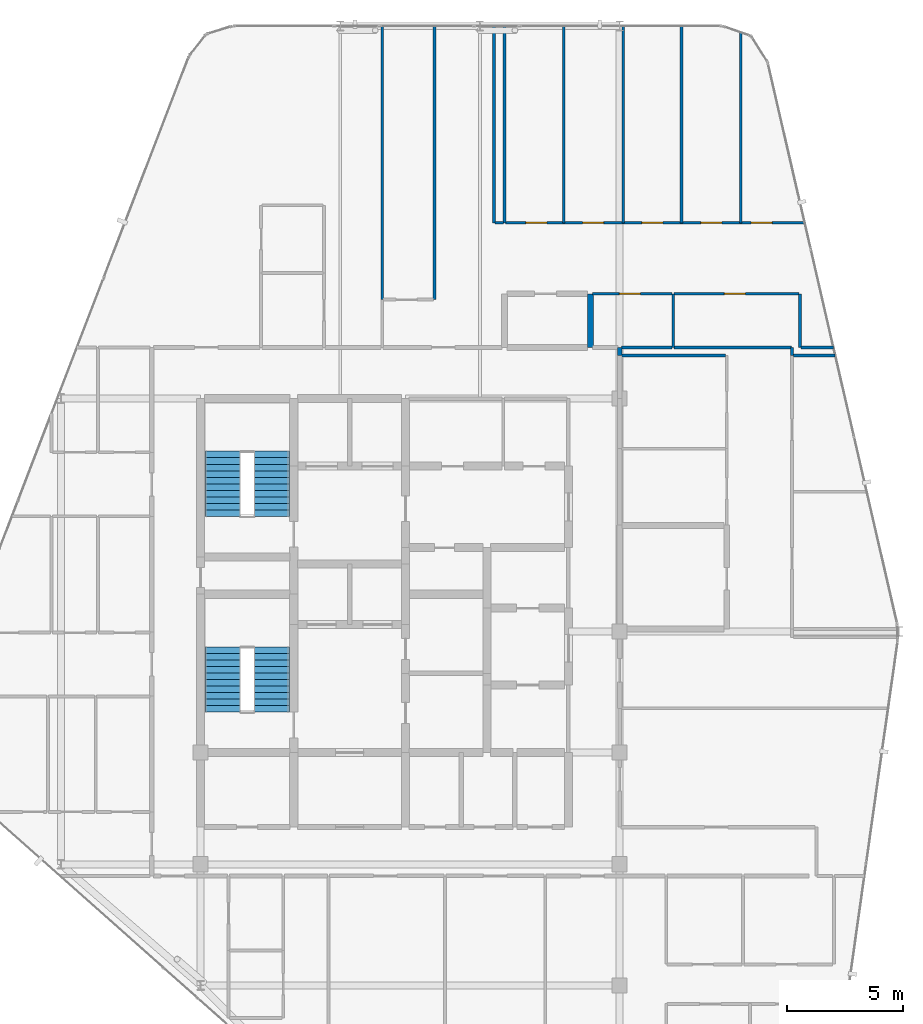
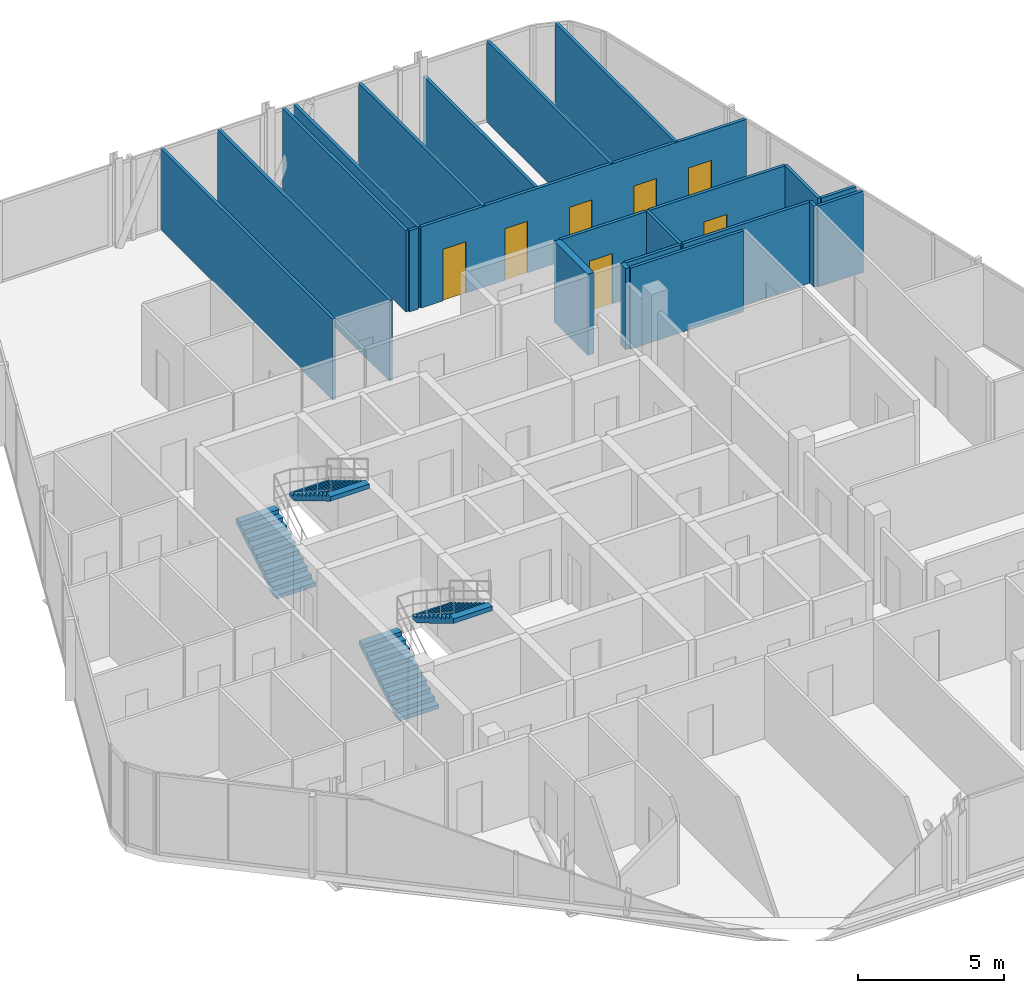
# One storey, part 26 of 27: 22 walls, 7 doors, 4 stair flights, 7 openings, 2 elements without a shape of their own.
"""IFC4 building model written with IfcOpenShell, lengths in metres."""

from ifc_helpers import new_model, si_unit, direction, frame, frame_2d, origin, place, context, subcontext, project, spatial, polyline, rectangle, outline, extrude, material, layer, layer_set, type_object, element, fill, aggregate, save


model = new_model("IFC4")

# Units and contexts
model_context = context("Model", 3, precision=1e-05, world=origin(), true_north=direction((0.0, 1.0)))
body_context = subcontext(model_context, "Body", "Model", "MODEL_VIEW")
ifc_project = project(units=[si_unit("LENGTHUNIT", "METRE"), si_unit("AREAUNIT", "SQUARE_METRE"), si_unit("VOLUMEUNIT", "CUBIC_METRE"), si_unit("PLANEANGLEUNIT", "RADIAN"), si_unit("MASSUNIT", "GRAM", prefix="KILO")], contexts=[model_context])

# Site, building, storey
site_placement = place(None, origin())
site = spatial("IfcSite", under=ifc_project, at=site_placement, CompositionType="ELEMENT")
building_placement = place(site_placement, origin())
building = spatial("IfcBuilding", under=site, at=building_placement, Name="Keshet Zoharim Tower", CompositionType="ELEMENT")
storey_placement = place(building_placement, frame((0.0, 0.0, 295.39990234375)))
storey = spatial("IfcBuildingStorey", under=building, at=storey_placement, Name="L74", CompositionType="ELEMENT", Elevation=295.39990234375)

# Walls
ifc_material_1 = material(Name="Gypsum Plasterboard", Category="gypsum")
ifc_layer_1 = layer(ifc_material_1, 0.179931640625)
ifc_layer_set_1 = layer_set([ifc_layer_1], Name="Gypsum Plasterboard")
wall_type_1 = type_object("IfcWallType", Name="WL-CORR-180", PredefinedType="STANDARD", material=ifc_layer_set_1)
wall_1_placement = place(storey_placement, frame((33.0, 39.75, 0.0), z_axis=(0.0, 0.0, 1.0), x_axis=(0.0, 1.0, 0.0)))
element("IfcWall", 1, at=wall_1_placement, inside=storey, type_object=wall_type_1, Name="L74 Interior Wall 068", PredefinedType="STANDARD", context=body_context, shape_type="SweptSolid", body=[
    extrude(rectangle(XDim=0.35009765625, YDim=0.179931640625, at=frame_2d((0.175048828125, 0.0))), origin(), (0.0, 0.0, 1.0), 3.380126953125),
])
ifc_material_2 = material(Name="Concrete C50/60", Category="concrete")
ifc_layer_2 = layer(ifc_material_2, 0.25)
ifc_layer_set_2 = layer_set([ifc_layer_2], Name="Concrete C50/60")
wall_type_2 = type_object("IfcWallType", Name="WL-MAMAD-250", PredefinedType="STANDARD", material=ifc_layer_set_2)
wall_2_placement = place(storey_placement, frame((31.75, 40.10009765625, 0.0), z_axis=(0.0, 0.0, 1.0), x_axis=(0.0, 1.0, 0.0)))
element("IfcWall", 2, at=wall_2_placement, inside=storey, type_object=wall_type_2, Name="L74 Interior Wall 062", PredefinedType="STANDARD", context=body_context, shape_type="SweptSolid", body=[
    extrude(rectangle(XDim=2.2998046875, YDim=0.25, at=frame_2d((1.14990234375, 0.0))), origin(), (0.0, 0.0, 1.0), 3.380126953125),
])
ifc_layer_3 = layer(ifc_material_1, 0.1201171875)
ifc_layer_set_3 = layer_set([ifc_layer_3], Name="Gypsum Plasterboard")
wall_type_3 = type_object("IfcWallType", Name="WL-PART-120", PredefinedType="PARTITIONING", material=ifc_layer_set_3)
for number, where, z_axis, x_axis, name in (
    (3, (22.800048828125, 42.14990234375, 0.0), (0.0, 0.0, 1.0), (0.0, 1.0, 0.0), "L74 Interior Wall 034"),
    (4, (25.050048828125, 42.14990234375, 0.0), (0.0, 0.0, 1.0), (0.0, 1.0, 0.0), "L74 Interior Wall 042"),
):
    element("IfcWall", number, at=place(storey_placement, frame(where, z_axis=z_axis, x_axis=x_axis)), inside=storey, type_object=wall_type_3, Name=name, PredefinedType="PARTITIONING", context=body_context, shape_type="SweptSolid", body=[
        extrude(rectangle(XDim=11.739990234375, YDim=0.1201171875, at=frame_2d((5.8701171875, 0.0))), origin(), (0.0, 0.0, 1.0), 3.380126953125),
    ])
for number, where, z_axis, x_axis, name in (
    (5, (27.60009765625, 45.449951171875, 0.0), (0.0, 0.0, 1.0), (0.0, 1.0, 0.0), "L74 Interior Wall 049"),
    (6, (28.050048828125, 45.449951171875, 0.0), (0.0, 0.0, 1.0), (0.0, 1.0, 0.0), "L74 Interior Wall 052"),
    (7, (30.60009765625, 45.449951171875, 0.0), (0.0, 0.0, 1.0), (0.0, 1.0, 0.0), "L74 Interior Wall 055"),
):
    element("IfcWall", number, at=place(storey_placement, frame(where, z_axis=z_axis, x_axis=x_axis)), inside=storey, type_object=wall_type_3, Name=name, PredefinedType="PARTITIONING", context=body_context, shape_type="SweptSolid", body=[
        extrude(rectangle(XDim=8.43994140625, YDim=0.1201171875, at=frame_2d((4.219970703125, 0.0))), origin(), (0.0, 0.0, 1.0), 3.380126953125),
    ])
wall_3_placement = place(storey_placement, frame((33.14990234375, 45.449951171875, 0.0), z_axis=(0.0, 0.0, 1.0), x_axis=(0.0, 1.0, 0.0)))
element("IfcWall", 8, at=wall_3_placement, inside=storey, type_object=wall_type_3, Name="L74 Interior Wall 069", PredefinedType="PARTITIONING", context=body_context, shape_type="SweptSolid", body=[
    extrude(rectangle(XDim=8.43994140625, YDim=0.1201171875, at=frame_2d((4.219970703125, 0.0))), origin(), (0.0, 0.0, 1.0), 2.780029296875),
])
wall_4_placement = place(storey_placement, frame((35.64990234375, 45.449951171875, 0.0), z_axis=(0.0, 0.0, 1.0), x_axis=(0.0, 1.0, 0.0)))
element("IfcWall", 9, at=wall_4_placement, inside=storey, type_object=wall_type_3, Name="L74 Interior Wall 073", PredefinedType="PARTITIONING", context=body_context, shape_type="SweptSolid", body=[
    extrude(rectangle(XDim=8.43994140625, YDim=0.1201171875, at=frame_2d((4.219970703125, 0.0))), origin(), (0.0, 0.0, 1.0), 3.380126953125),
])
wall_5_placement = place(storey_placement, frame((38.199951171875, 45.449951171875, 0.0), z_axis=(0.0, 0.0, 1.0), x_axis=(0.0, 1.0, 0.0)))
element("IfcWall", 10, at=wall_5_placement, inside=storey, type_object=wall_type_3, Name="L74 Interior Wall 077", PredefinedType="PARTITIONING", context=body_context, shape_type="SweptSolid", body=[
    extrude(rectangle(XDim=8.1640625, YDim=0.1201171875, at=frame_2d((4.08203125, 0.0))), origin(), (0.0, 0.0, 1.0), 3.380126953125),
])
wall_6_placement = place(storey_placement, frame((40.39990234375, 39.75, 0.0), z_axis=(0.0, 0.0, 1.0), x_axis=(0.0, 1.0, 0.0)))
element("IfcWall", 11, at=wall_6_placement, inside=storey, type_object=wall_type_3, Name="L74 Interior Wall 082", PredefinedType="PARTITIONING", context=body_context, shape_type="SweptSolid", body=[
    extrude(rectangle(XDim=0.35009765625, YDim=0.1201171875, at=frame_2d((0.175048828125, 0.0))), origin(), (0.0, 0.0, 1.0), 3.380126953125),
])
wall_7_placement = place(storey_placement, frame((40.75, 40.10009765625, 0.0), z_axis=(0.0, 0.0, 1.0), x_axis=(0.0, 1.0, 0.0)))
element("IfcWall", 12, at=wall_7_placement, inside=storey, type_object=wall_type_3, Name="L74 Interior Wall 083", PredefinedType="PARTITIONING", context=body_context, shape_type="SweptSolid", body=[
    extrude(rectangle(XDim=2.2998046875, YDim=0.1201171875, at=frame_2d((1.14990234375, 0.0))), origin(), (0.0, 0.0, 1.0), 3.380126953125),
])
wall_8_placement = place(storey_placement, frame((33.074951171875, 39.75, 0.0), z_axis=(0.0, 0.0, 1.0), x_axis=(1.0, 0.0, 0.0)))
element("IfcWall", 13, at=wall_8_placement, inside=storey, type_object=wall_type_3, Name="L74 Interior Wall 151", PredefinedType="PARTITIONING", context=body_context, shape_type="SweptSolid", body=[
    extrude(rectangle(XDim=4.4599609375, YDim=0.1201171875, at=frame_2d((2.22998046875, 0.0))), origin(), (0.0, 0.0, 1.0), 3.380126953125),
])
wall_9_placement = place(storey_placement, frame((40.465087890625, 39.75, 0.0), z_axis=(0.0, 0.0, 1.0), x_axis=(1.0, 0.0, 0.0)))
element("IfcWall", 14, at=wall_9_placement, inside=storey, type_object=wall_type_3, Name="L74 Interior Wall 152", PredefinedType="PARTITIONING", context=body_context, shape_type="SweptSolid", body=[
    extrude(rectangle(XDim=1.789794921875, YDim=0.1201171875, at=frame_2d((0.89501953125, 0.0))), origin(), (0.0, 0.0, 1.0), 3.380126953125),
])
wall_10_placement = place(storey_placement, frame((35.333984375, 40.10009765625, 0.0), z_axis=(0.0, 0.0, 1.0), x_axis=(1.0, 0.0, 0.0)))
element("IfcWall", 15, at=wall_10_placement, inside=storey, type_object=wall_type_3, Name="L74 Interior Wall 162", PredefinedType="PARTITIONING", context=body_context, shape_type="SweptSolid", body=[
    extrude(rectangle(XDim=5.041015625, YDim=0.1201171875, at=frame_2d((2.5205078125, 0.0))), origin(), (0.0, 0.0, 1.0), 3.380126953125),
])
wall_11_placement = place(storey_placement, frame((40.7958984375, 40.10009765625, 0.0), z_axis=(0.0, 0.0, 1.0), x_axis=(1.0, 0.0, 0.0)))
element("IfcWall", 16, at=wall_11_placement, inside=storey, type_object=wall_type_3, Name="L74 Interior Wall 163", PredefinedType="PARTITIONING", context=body_context, shape_type="SweptSolid", body=[
    extrude(rectangle(XDim=1.379150390625, YDim=0.1201171875, at=frame_2d((0.689453125, 0.0))), origin(), (0.0, 0.0, 1.0), 3.380126953125),
])

# Wall, opening, door
wall_12_placement = place(storey_placement, frame((35.333984375, 42.39990234375, 0.0), z_axis=(0.0, 0.0, 1.0), x_axis=(1.0, 0.0, 0.0)))
wall_12 = element("IfcWall", 17, at=wall_12_placement, inside=storey, type_object=wall_type_3, Name="L74 Interior Wall 167", PredefinedType="PARTITIONING", context=body_context, shape_type="SweptSolid", body=[
    extrude(rectangle(XDim=5.3720703125, YDim=0.1201171875, at=frame_2d((2.68603515625, 0.0))), origin(), (0.0, 0.0, 1.0), 3.380126953125),
])
opening_1_placement = place(wall_12_placement, frame((2.166015625, 0.0, 0.0)))
opening_1 = element("IfcOpeningElement", 18, at=opening_1_placement, cuts=wall_12, Name="Opening D-IN90", PredefinedType="OPENING", context=body_context, shape_type="SweptSolid", body=[
    extrude(rectangle(XDim=0.89990234375, YDim=2.14990234375, at=frame_2d((0.449951171875, 1.074951171875))), frame((0.0, 0.070068359375, 0.0), z_axis=(0.0, -1.0, 0.0), x_axis=(1.0, 0.0, 0.0)), (0.0, 0.0, 1.0), 0.14013671875),
])
ifc_material_3 = material(Name="Hardwood Timber", Category="wood")
door_type_1 = type_object("IfcDoorType", Name="DR-INT-090", OperationType="NOTDEFINED", PredefinedType="DOOR", material=ifc_material_3)
door_1_placement = place(opening_1_placement, origin())
door_1 = element("IfcDoor", 19, at=door_1_placement, inside=storey, type_object=door_type_1, Name="Apartment 7404 Kitchen Door", OperationType="SINGLE_SWING_RIGHT", OverallHeight=2.14990234375, OverallWidth=0.89990234375, PredefinedType="DOOR", context=body_context, shape_type="SweptSolid", body=[
    extrude(rectangle(XDim=0.89990234375, YDim=2.14990234375, at=frame_2d((0.449951171875, 1.074951171875))), frame((0.0, 0.02490234375, 0.0), z_axis=(0.0, -1.0, 0.0), x_axis=(1.0, 0.0, 0.0)), (0.0, 0.0, 1.0), 0.050048828125),
])
fill(opening_1, door_1)

# Wall
wall_13_placement = place(storey_placement, frame((27.64501953125, 45.449951171875, 0.0), z_axis=(0.0, 0.0, 1.0), x_axis=(1.0, 0.0, 0.0)))
element("IfcWall", 20, at=wall_13_placement, inside=storey, type_object=wall_type_3, Name="L74 Interior Wall 169", PredefinedType="PARTITIONING", context=body_context, shape_type="SweptSolid", body=[
    extrude(rectangle(XDim=0.35986328125, YDim=0.1201171875, at=frame_2d((0.179931640625, 0.0))), origin(), (0.0, 0.0, 1.0), 3.380126953125),
])

# Wall, openings, doors
wall_14_placement = place(storey_placement, frame((28.094970703125, 45.449951171875, 0.0), z_axis=(0.0, 0.0, 1.0), x_axis=(1.0, 0.0, 0.0)))
wall_14 = element("IfcWall", 21, at=wall_14_placement, inside=storey, type_object=wall_type_3, Name="L74 Interior Wall 170", PredefinedType="PARTITIONING", context=body_context, shape_type="SweptSolid", body=[
    extrude(rectangle(XDim=12.844970703125, YDim=0.1201171875, at=frame_2d((6.42236328125, 0.0))), origin(), (0.0, 0.0, 1.0), 3.380126953125),
])
opening_2_placement = place(wall_14_placement, frame((0.8740234375, 0.0, 0.0)))
opening_2 = element("IfcOpeningElement", 22, at=opening_2_placement, cuts=wall_14, Name="Opening D-IN90", PredefinedType="OPENING", context=body_context, shape_type="SweptSolid", body=[
    extrude(rectangle(XDim=0.89990234375, YDim=2.14990234375, at=frame_2d((0.449951171875, 1.074951171875))), frame((0.0, 0.070068359375, 0.0), z_axis=(0.0, -1.0, 0.0), x_axis=(1.0, 0.0, 0.0)), (0.0, 0.0, 1.0), 0.14013671875),
])
opening_3_placement = place(wall_14_placement, frame((3.31494140625, 0.0, 0.0)))
opening_3 = element("IfcOpeningElement", 23, at=opening_3_placement, cuts=wall_14, Name="Opening D-IN90", PredefinedType="OPENING", context=body_context, shape_type="SweptSolid", body=[
    extrude(rectangle(XDim=0.89990234375, YDim=2.14990234375, at=frame_2d((0.449951171875, 1.074951171875))), frame((0.0, 0.070068359375, 0.0), z_axis=(0.0, -1.0, 0.0), x_axis=(1.0, 0.0, 0.0)), (0.0, 0.0, 1.0), 0.14013671875),
])
opening_4_placement = place(wall_14_placement, frame((5.85595703125, 0.0, 0.0)))
opening_4 = element("IfcOpeningElement", 24, at=opening_4_placement, cuts=wall_14, Name="Opening D-IN90", PredefinedType="OPENING", context=body_context, shape_type="SweptSolid", body=[
    extrude(rectangle(XDim=0.89990234375, YDim=2.14990234375, at=frame_2d((0.449951171875, 1.074951171875))), frame((0.0, 0.070068359375, 0.0), z_axis=(0.0, -1.0, 0.0), x_axis=(1.0, 0.0, 0.0)), (0.0, 0.0, 1.0), 0.14013671875),
])
opening_5_placement = place(wall_14_placement, frame((8.39599609375, 0.0, 0.0)))
opening_5 = element("IfcOpeningElement", 25, at=opening_5_placement, cuts=wall_14, Name="Opening D-IN90", PredefinedType="OPENING", context=body_context, shape_type="SweptSolid", body=[
    extrude(rectangle(XDim=0.89990234375, YDim=2.14990234375, at=frame_2d((0.449951171875, 1.074951171875))), frame((0.0, 0.070068359375, 0.0), z_axis=(0.0, -1.0, 0.0), x_axis=(1.0, 0.0, 0.0)), (0.0, 0.0, 1.0), 0.14013671875),
])
opening_6_placement = place(wall_14_placement, frame((10.553955078125, 0.0, 0.0)))
opening_6 = element("IfcOpeningElement", 26, at=opening_6_placement, cuts=wall_14, Name="Opening D-IN90", PredefinedType="OPENING", context=body_context, shape_type="SweptSolid", body=[
    extrude(rectangle(XDim=0.89990234375, YDim=2.14990234375, at=frame_2d((0.449951171875, 1.074951171875))), frame((0.0, 0.070068359375, 0.0), z_axis=(0.0, -1.0, 0.0), x_axis=(1.0, 0.0, 0.0)), (0.0, 0.0, 1.0), 0.14013671875),
])
door_2_placement = place(opening_2_placement, origin())
door_2 = element("IfcDoor", 27, at=door_2_placement, inside=storey, type_object=door_type_1, Name="Apartment 7404 Bedroom 1 Door", OperationType="SINGLE_SWING_LEFT", OverallHeight=2.14990234375, OverallWidth=0.89990234375, PredefinedType="DOOR", context=body_context, shape_type="SweptSolid", body=[
    extrude(rectangle(XDim=0.89990234375, YDim=2.14990234375, at=frame_2d((0.449951171875, 1.074951171875))), frame((0.0, 0.02490234375, 0.0), z_axis=(0.0, -1.0, 0.0), x_axis=(1.0, 0.0, 0.0)), (0.0, 0.0, 1.0), 0.050048828125),
])
fill(opening_2, door_2)
door_3_placement = place(opening_3_placement, origin())
door_3 = element("IfcDoor", 28, at=door_3_placement, inside=storey, type_object=door_type_1, Name="Apartment 7404 Bedroom 2 Door", OperationType="SINGLE_SWING_RIGHT", OverallHeight=2.14990234375, OverallWidth=0.89990234375, PredefinedType="DOOR", context=body_context, shape_type="SweptSolid", body=[
    extrude(rectangle(XDim=0.89990234375, YDim=2.14990234375, at=frame_2d((0.449951171875, 1.074951171875))), frame((0.0, 0.02490234375, 0.0), z_axis=(0.0, -1.0, 0.0), x_axis=(1.0, 0.0, 0.0)), (0.0, 0.0, 1.0), 0.050048828125),
])
fill(opening_3, door_3)
door_4_placement = place(opening_4_placement, origin())
door_4 = element("IfcDoor", 29, at=door_4_placement, inside=storey, type_object=door_type_1, Name="Apartment 7404 Bedroom 3 Door", OperationType="SINGLE_SWING_LEFT", OverallHeight=2.14990234375, OverallWidth=0.89990234375, PredefinedType="DOOR", context=body_context, shape_type="SweptSolid", body=[
    extrude(rectangle(XDim=0.89990234375, YDim=2.14990234375, at=frame_2d((0.449951171875, 1.074951171875))), frame((0.0, 0.02490234375, 0.0), z_axis=(0.0, -1.0, 0.0), x_axis=(1.0, 0.0, 0.0)), (0.0, 0.0, 1.0), 0.050048828125),
])
fill(opening_4, door_4)
door_5_placement = place(opening_5_placement, origin())
door_5 = element("IfcDoor", 30, at=door_5_placement, inside=storey, type_object=door_type_1, Name="Apartment 7404 Bedroom 4 Door", OperationType="SINGLE_SWING_RIGHT", OverallHeight=2.14990234375, OverallWidth=0.89990234375, PredefinedType="DOOR", context=body_context, shape_type="SweptSolid", body=[
    extrude(rectangle(XDim=0.89990234375, YDim=2.14990234375, at=frame_2d((0.449951171875, 1.074951171875))), frame((0.0, 0.02490234375, 0.0), z_axis=(0.0, -1.0, 0.0), x_axis=(1.0, 0.0, 0.0)), (0.0, 0.0, 1.0), 0.050048828125),
])
fill(opening_5, door_5)
door_6_placement = place(opening_6_placement, origin())
door_6 = element("IfcDoor", 31, at=door_6_placement, inside=storey, type_object=door_type_1, Name="Apartment 7404 Bedroom 5 Door", OperationType="SINGLE_SWING_LEFT", OverallHeight=2.14990234375, OverallWidth=0.89990234375, PredefinedType="DOOR", context=body_context, shape_type="SweptSolid", body=[
    extrude(rectangle(XDim=0.89990234375, YDim=2.14990234375, at=frame_2d((0.449951171875, 1.074951171875))), frame((0.0, 0.02490234375, 0.0), z_axis=(0.0, -1.0, 0.0), x_axis=(1.0, 0.0, 0.0)), (0.0, 0.0, 1.0), 0.050048828125),
])
fill(opening_6, door_6)

# Walls
ifc_layer_4 = layer(ifc_material_1, 0.1201171875)
ifc_layer_set_4 = layer_set([ifc_layer_4], Name="Gypsum Plasterboard")
wall_type_4 = type_object("IfcWallType", Name="WL-WET-120", PredefinedType="PARTITIONING", material=ifc_layer_set_4)
wall_15_placement = place(storey_placement, frame((35.300048828125, 40.10009765625, 0.0), z_axis=(0.0, 0.0, 1.0), x_axis=(0.0, 1.0, 0.0)))
element("IfcWall", 32, at=wall_15_placement, inside=storey, type_object=wall_type_4, Name="L74 Interior Wall 072", PredefinedType="PARTITIONING", context=body_context, shape_type="SweptSolid", body=[
    extrude(rectangle(XDim=2.2998046875, YDim=0.1201171875, at=frame_2d((1.14990234375, 0.0))), origin(), (0.0, 0.0, 1.0), 3.380126953125),
])
wall_16_placement = place(storey_placement, frame((33.074951171875, 40.10009765625, 0.0), z_axis=(0.0, 0.0, 1.0), x_axis=(1.0, 0.0, 0.0)))
element("IfcWall", 33, at=wall_16_placement, inside=storey, type_object=wall_type_4, Name="L74 Interior Wall 161", PredefinedType="PARTITIONING", context=body_context, shape_type="SweptSolid", body=[
    extrude(rectangle(XDim=2.1689453125, YDim=0.1201171875, at=frame_2d((1.08447265625, 0.0))), origin(), (0.0, 0.0, 1.0), 3.380126953125),
])

# Wall, opening, door
wall_17_placement = place(storey_placement, frame((31.843017578125, 42.39990234375, 0.0), z_axis=(0.0, 0.0, 1.0), x_axis=(1.0, 0.0, 0.0)))
wall_17 = element("IfcWall", 34, at=wall_17_placement, inside=storey, type_object=wall_type_4, Name="L74 Interior Wall 166", PredefinedType="PARTITIONING", context=body_context, shape_type="SweptSolid", body=[
    extrude(rectangle(XDim=3.40087890625, YDim=0.1201171875, at=frame_2d((1.700439453125, 0.0))), origin(), (0.0, 0.0, 1.0), 3.380126953125),
])
opening_7_placement = place(wall_17_placement, frame((1.14599609375, 0.0, 0.0)))
opening_7 = element("IfcOpeningElement", 35, at=opening_7_placement, cuts=wall_17, Name="Opening D-WT90", PredefinedType="OPENING", context=body_context, shape_type="SweptSolid", body=[
    extrude(rectangle(XDim=0.89990234375, YDim=2.10009765625, at=frame_2d((0.449951171875, 1.050048828125))), frame((0.0, 0.070068359375, 0.0), z_axis=(0.0, -1.0, 0.0), x_axis=(1.0, 0.0, 0.0)), (0.0, 0.0, 1.0), 0.14013671875),
])
door_type_2 = type_object("IfcDoorType", Name="DR-WET-090", OperationType="NOTDEFINED", PredefinedType="DOOR", material=ifc_material_3)
door_7_placement = place(opening_7_placement, origin())
door_7 = element("IfcDoor", 36, at=door_7_placement, inside=storey, type_object=door_type_2, Name="Apartment 7404 Bathroom Door", OperationType="SINGLE_SWING_LEFT", OverallHeight=2.10009765625, OverallWidth=0.89990234375, PredefinedType="DOOR", context=body_context, shape_type="SweptSolid", body=[
    extrude(rectangle(XDim=0.89990234375, YDim=2.10009765625, at=frame_2d((0.449951171875, 1.050048828125))), frame((0.0, 0.02490234375, 0.0), z_axis=(0.0, -1.0, 0.0), x_axis=(1.0, 0.0, 0.0)), (0.0, 0.0, 1.0), 0.050048828125),
])
fill(opening_7, door_7)

# Stair, stair flights
stair_type = type_object("IfcStairType", Name="STR-EXIT-135", PredefinedType="HALF_TURN_STAIR", material=ifc_material_2)
stair_1_placement = place(storey_placement, origin())
stair_1 = element("IfcStair", 37, at=stair_1_placement, inside=storey, type_object=stair_type, Name="L74 Enclosed Exit Stair ST-01", PredefinedType="HALF_TURN_STAIR")
stair_flight_type = type_object("IfcStairFlightType", Name="FLT-PRE-135", PredefinedType="STRAIGHT", material=ifc_material_2)
stair_flight_1_placement = place(storey_placement, frame((15.945068359375, 24.43994140625, 0.0), z_axis=(0.0, 0.0, 1.0), x_axis=(0.0, 1.0, 0.0)))
stair_flight_1 = element("IfcStairFlight", 38, at=stair_flight_1_placement, type_object=stair_flight_type, Name="ST-01 flight 1", NumberOfRisers=11, NumberOfTreads=10, PredefinedType="STRAIGHT", RiserHeight=0.168182, TreadLength=0.28, context=body_context, shape_type="SweptSolid", body=[
    extrude(outline(polyline([(0.0, 0.0), (0.0, 0.168212890625), (0.280029296875, 0.168212890625), (0.280029296875, 0.33642578125), (0.56005859375, 0.33642578125), (0.56005859375, 0.504638671875), (0.840087890625, 0.504638671875), (0.840087890625, 0.672607421875), (1.1201171875, 0.672607421875), (1.1201171875, 0.8408203125), (1.39990234375, 0.8408203125), (1.39990234375, 1.009033203125), (1.679931640625, 1.009033203125), (1.679931640625, 1.17724609375), (1.9599609375, 1.17724609375), (1.9599609375, 1.345458984375), (2.239990234375, 1.345458984375), (2.239990234375, 1.513671875), (2.52001953125, 1.513671875), (2.52001953125, 1.681884765625), (2.800048828125, 1.681884765625), (2.800048828125, 1.85009765625), (2.800048828125, 1.495361328125), (0.310546875, 0.0), (0.0, 0.0)])), frame((0.0, 0.76513671875, 0.0), z_axis=(0.0, -1.0, 0.0), x_axis=(1.0, 0.0, 0.0)), (0.0, 0.0, 1.0), 1.530029296875),
])
stair_flight_2_placement = place(storey_placement, frame((18.054931640625, 27.239990234375, 1.85009765625), z_axis=(0.0, 0.0, 1.0), x_axis=(0.0, -1.0, 0.0)))
stair_flight_2 = element("IfcStairFlight", 39, at=stair_flight_2_placement, type_object=stair_flight_type, Name="ST-01 flight 2", NumberOfRisers=11, NumberOfTreads=10, PredefinedType="STRAIGHT", RiserHeight=0.168182, TreadLength=0.28, context=body_context, shape_type="SweptSolid", body=[
    extrude(outline(polyline([(0.0, 0.0), (0.0, 0.168212890625), (0.280029296875, 0.168212890625), (0.280029296875, 0.33642578125), (0.56005859375, 0.33642578125), (0.56005859375, 0.504638671875), (0.840087890625, 0.504638671875), (0.840087890625, 0.672607421875), (1.1201171875, 0.672607421875), (1.1201171875, 0.8408203125), (1.39990234375, 0.8408203125), (1.39990234375, 1.009033203125), (1.679931640625, 1.009033203125), (1.679931640625, 1.17724609375), (1.9599609375, 1.17724609375), (1.9599609375, 1.345458984375), (2.239990234375, 1.345458984375), (2.239990234375, 1.513671875), (2.52001953125, 1.513671875), (2.52001953125, 1.681884765625), (2.800048828125, 1.681884765625), (2.800048828125, 1.85009765625), (2.800048828125, 1.495361328125), (0.310546875, 0.0), (0.0, 0.0)])), frame((0.0, 0.76513671875, 0.0), z_axis=(0.0, -1.0, 0.0), x_axis=(1.0, 0.0, 0.0)), (0.0, 0.0, 1.0), 1.530029296875),
])
aggregate(stair_1, [stair_flight_1, stair_flight_2])

stair_2_placement = place(storey_placement, origin())
stair_2 = element("IfcStair", 40, at=stair_2_placement, inside=storey, type_object=stair_type, Name="L74 Enclosed Exit Stair ST-02", PredefinedType="HALF_TURN_STAIR")
stair_flight_3_placement = place(storey_placement, frame((15.945068359375, 32.840087890625, 0.0), z_axis=(0.0, 0.0, 1.0), x_axis=(0.0, 1.0, 0.0)))
stair_flight_3 = element("IfcStairFlight", 41, at=stair_flight_3_placement, type_object=stair_flight_type, Name="ST-02 flight 1", NumberOfRisers=11, NumberOfTreads=10, PredefinedType="STRAIGHT", RiserHeight=0.168182, TreadLength=0.28, context=body_context, shape_type="SweptSolid", body=[
    extrude(outline(polyline([(0.0, 0.0), (0.0, 0.168212890625), (0.280029296875, 0.168212890625), (0.280029296875, 0.33642578125), (0.56005859375, 0.33642578125), (0.56005859375, 0.504638671875), (0.840087890625, 0.504638671875), (0.840087890625, 0.672607421875), (1.1201171875, 0.672607421875), (1.1201171875, 0.8408203125), (1.39990234375, 0.8408203125), (1.39990234375, 1.009033203125), (1.679931640625, 1.009033203125), (1.679931640625, 1.17724609375), (1.9599609375, 1.17724609375), (1.9599609375, 1.345458984375), (2.239990234375, 1.345458984375), (2.239990234375, 1.513671875), (2.52001953125, 1.513671875), (2.52001953125, 1.681884765625), (2.800048828125, 1.681884765625), (2.800048828125, 1.85009765625), (2.800048828125, 1.495361328125), (0.310546875, 0.0), (0.0, 0.0)])), frame((0.0, 0.76513671875, 0.0), z_axis=(0.0, -1.0, 0.0), x_axis=(1.0, 0.0, 0.0)), (0.0, 0.0, 1.0), 1.530029296875),
])
stair_flight_4_placement = place(storey_placement, frame((18.054931640625, 35.639892578125, 1.85009765625), z_axis=(0.0, 0.0, 1.0), x_axis=(0.0, -1.0, 0.0)))
stair_flight_4 = element("IfcStairFlight", 42, at=stair_flight_4_placement, type_object=stair_flight_type, Name="ST-02 flight 2", NumberOfRisers=11, NumberOfTreads=10, PredefinedType="STRAIGHT", RiserHeight=0.168182, TreadLength=0.28, context=body_context, shape_type="SweptSolid", body=[
    extrude(outline(polyline([(0.0, 0.0), (0.0, 0.168212890625), (0.280029296875, 0.168212890625), (0.280029296875, 0.33642578125), (0.56005859375, 0.33642578125), (0.56005859375, 0.504638671875), (0.840087890625, 0.504638671875), (0.840087890625, 0.672607421875), (1.1201171875, 0.672607421875), (1.1201171875, 0.8408203125), (1.39990234375, 0.8408203125), (1.39990234375, 1.009033203125), (1.679931640625, 1.009033203125), (1.679931640625, 1.17724609375), (1.9599609375, 1.17724609375), (1.9599609375, 1.345458984375), (2.239990234375, 1.345458984375), (2.239990234375, 1.513671875), (2.52001953125, 1.513671875), (2.52001953125, 1.681884765625), (2.800048828125, 1.681884765625), (2.800048828125, 1.85009765625), (2.800048828125, 1.495361328125), (0.310546875, 0.0), (0.0, 0.0)])), frame((0.0, 0.76513671875, 0.0), z_axis=(0.0, -1.0, 0.0), x_axis=(1.0, 0.0, 0.0)), (0.0, 0.0, 1.0), 1.530029296875),
])
aggregate(stair_2, [stair_flight_3, stair_flight_4])

save(model, "model.ifc")
